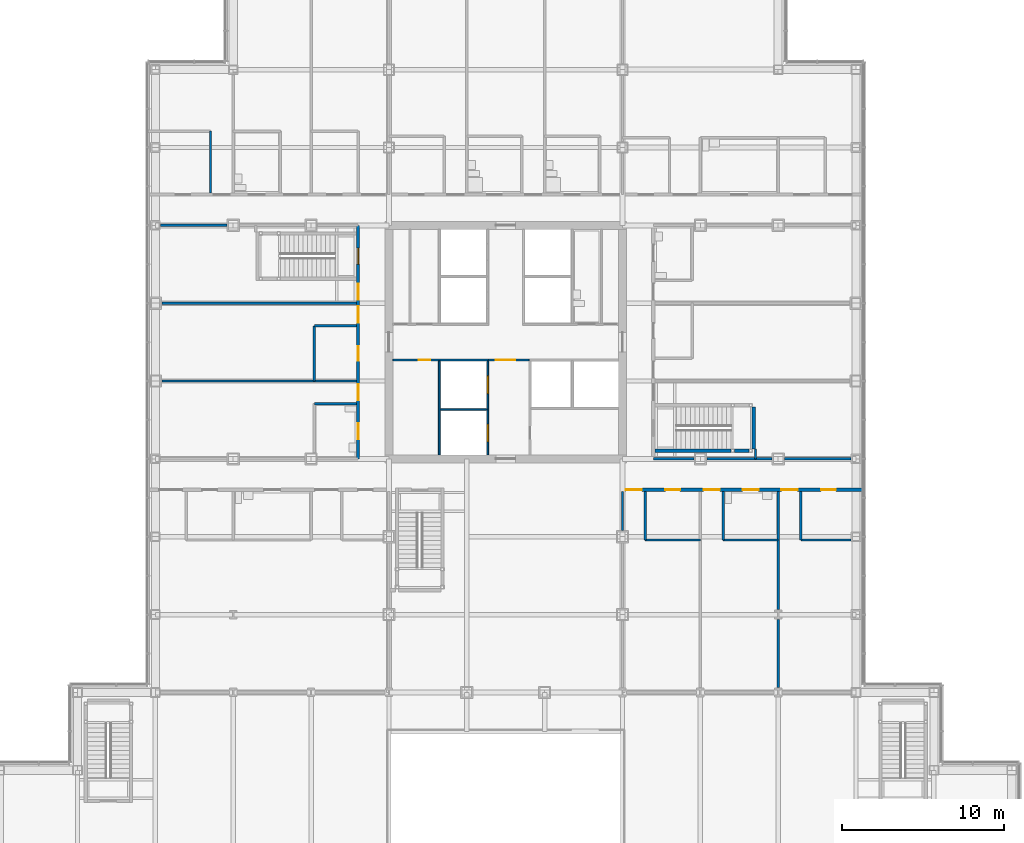
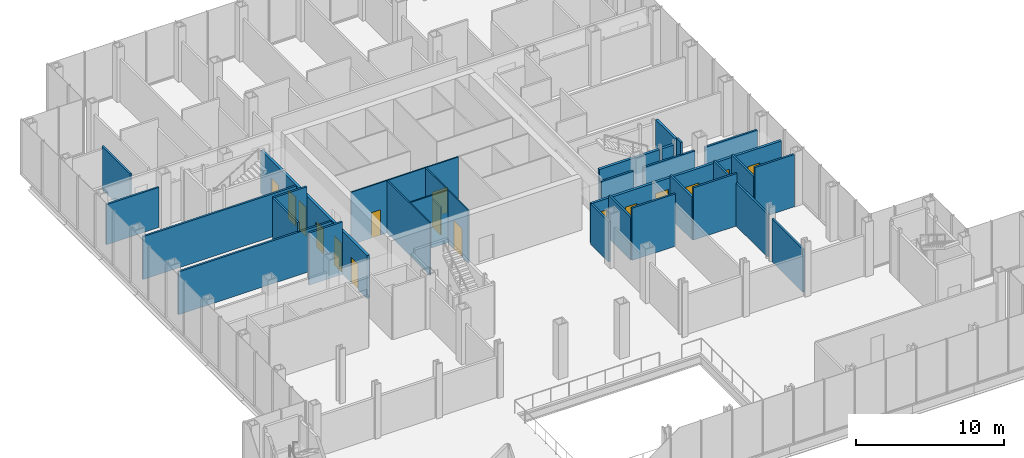
# One storey, part 20 of 25: 30 walls, 16 doors, 16 openings.
"""IFC4 building model written with IfcOpenShell, lengths in metres."""

from ifc_helpers import new_model, si_unit, direction, frame, frame_2d, origin, place, context, subcontext, project, spatial, rectangle, extrude, material, layer, layer_set, type_object, element, fill, save


model = new_model("IFC4")

# Units and contexts
model_context = context("Model", 3, precision=1e-05, world=origin(), true_north=direction((0.0, 1.0)))
body_context = subcontext(model_context, "Body", "Model", "MODEL_VIEW")
ifc_project = project(units=[si_unit("LENGTHUNIT", "METRE"), si_unit("AREAUNIT", "SQUARE_METRE"), si_unit("VOLUMEUNIT", "CUBIC_METRE"), si_unit("PLANEANGLEUNIT", "RADIAN"), si_unit("MASSUNIT", "GRAM", prefix="KILO")], contexts=[model_context])

# Site, building, storey
site_placement = place(None, origin())
site = spatial("IfcSite", under=ifc_project, at=site_placement, CompositionType="ELEMENT")
building_placement = place(site_placement, origin())
building = spatial("IfcBuilding", under=site, at=building_placement, Name="Kvirike Care Tower", CompositionType="ELEMENT")
storey_placement = place(building_placement, frame((0.0, 0.0, 9.0)))
storey = spatial("IfcBuildingStorey", under=building, at=storey_placement, Name="L02", CompositionType="ELEMENT", Elevation=9.0)

# Walls
ifc_material_1 = material(Name="Plasterboard partition", Category="gypsum")
ifc_layer_1 = layer(ifc_material_1, 0.14990234375)
ifc_layer_set_1 = layer_set([ifc_layer_1], Name="CLINIC PARTITION 150")
wall_type_1 = type_object("IfcWallType", Name="CLINIC PARTITION 150", PredefinedType="PARTITIONING", material=ifc_layer_set_1)
wall_1_placement = place(storey_placement, frame((9.800048828125, 37.0, 0.0), z_axis=(0.0, 0.0, 1.0), x_axis=(1.0, 0.0, 0.0)))
element("IfcWall", 1, at=wall_1_placement, inside=storey, type_object=wall_type_1, Name="Clinic Partition 150 L02", PredefinedType="PARTITIONING", context=body_context, shape_type="SweptSolid", body=[
    extrude(rectangle(XDim=2.599853515625, YDim=0.14990234375, at=frame_2d((1.2998046875, 0.0))), origin(), (0.0, 0.0, 1.0), 4.330078125),
])
wall_2_placement = place(storey_placement, frame((9.800048828125, 37.0, 0.0), z_axis=(0.0, 0.0, 1.0), x_axis=(0.0, -1.0, 0.0)))
element("IfcWall", 2, at=wall_2_placement, inside=storey, type_object=wall_type_1, Name="Clinic Partition 150 L02", PredefinedType="PARTITIONING", context=body_context, shape_type="SweptSolid", body=[
    extrude(rectangle(XDim=3.39990234375, YDim=0.14990234375, at=frame_2d((1.699951171875, 0.0))), origin(), (0.0, 0.0, 1.0), 4.330078125),
])
wall_3_placement = place(storey_placement, frame((9.800048828125, 32.199951171875, 0.0), z_axis=(0.0, 0.0, 1.0), x_axis=(1.0, 0.0, 0.0)))
element("IfcWall", 3, at=wall_3_placement, inside=storey, type_object=wall_type_1, Name="Clinic Partition 150 L02", PredefinedType="PARTITIONING", context=body_context, shape_type="SweptSolid", body=[
    extrude(rectangle(XDim=2.599853515625, YDim=0.14990234375, at=frame_2d((1.2998046875, 0.0))), origin(), (0.0, 0.0, 1.0), 4.330078125),
])
for number, where, z_axis, x_axis, name in (
    (4, (0.39501953125, 38.39990234375, 0.0), (0.0, 0.0, 1.0), (1.0, 0.0, 0.0), "Clinic Partition 150 L02"),
    (5, (0.39501953125, 33.60009765625, 0.0), (0.0, 0.0, 1.0), (1.0, 0.0, 0.0), "Clinic Partition 150 L02"),
):
    element("IfcWall", number, at=place(storey_placement, frame(where, z_axis=z_axis, x_axis=x_axis)), inside=storey, type_object=wall_type_1, Name=name, PredefinedType="PARTITIONING", context=body_context, shape_type="SweptSolid", body=[
        extrude(rectangle(XDim=12.0048828125, YDim=0.14990234375, at=frame_2d((6.00244140625, 0.0))), origin(), (0.0, 0.0, 1.0), 3.550048828125),
    ])
wall_4_placement = place(storey_placement, frame((3.39990234375, 49.0, 0.0), z_axis=(0.0, 0.0, 1.0), x_axis=(0.0, -1.0, 0.0)))
element("IfcWall", 6, at=wall_4_placement, inside=storey, type_object=wall_type_1, Name="Clinic Partition 150 L02", PredefinedType="PARTITIONING", context=body_context, shape_type="SweptSolid", body=[
    extrude(rectangle(XDim=3.800048828125, YDim=0.14990234375, at=frame_2d((1.89990234375, 0.0))), origin(), (0.0, 0.0, 1.0), 3.550048828125),
])
wall_5_placement = place(storey_placement, frame((30.199951171875, 23.800048828125, 0.0), z_axis=(0.0, 0.0, 1.0), x_axis=(0.0, 1.0, 0.0)))
element("IfcWall", 7, at=wall_5_placement, inside=storey, type_object=wall_type_1, Name="Clinic Partition 150 L02", PredefinedType="PARTITIONING", context=body_context, shape_type="SweptSolid", body=[
    extrude(rectangle(XDim=3.0, YDim=0.14990234375, at=frame_2d((1.5, 0.0))), origin(), (0.0, 0.0, 1.0), 3.550048828125),
])
wall_6_placement = place(storey_placement, frame((30.199951171875, 23.800048828125, 0.0), z_axis=(0.0, 0.0, 1.0), x_axis=(1.0, 0.0, 0.0)))
element("IfcWall", 8, at=wall_6_placement, inside=storey, type_object=wall_type_1, Name="Clinic Partition 150 L02", PredefinedType="PARTITIONING", context=body_context, shape_type="SweptSolid", body=[
    extrude(rectangle(XDim=3.400146484375, YDim=0.14990234375, at=frame_2d((1.7001953125, 0.0))), origin(), (0.0, 0.0, 1.0), 4.330078125),
])
wall_7_placement = place(storey_placement, frame((35.0, 23.800048828125, 0.0), z_axis=(0.0, 0.0, 1.0), x_axis=(0.0, 1.0, 0.0)))
element("IfcWall", 9, at=wall_7_placement, inside=storey, type_object=wall_type_1, Name="Clinic Partition 150 L02", PredefinedType="PARTITIONING", context=body_context, shape_type="SweptSolid", body=[
    extrude(rectangle(XDim=3.0, YDim=0.14990234375, at=frame_2d((1.5, 0.0))), origin(), (0.0, 0.0, 1.0), 3.550048828125),
])
wall_8_placement = place(storey_placement, frame((35.0, 23.800048828125, 0.0), z_axis=(0.0, 0.0, 1.0), x_axis=(1.0, 0.0, 0.0)))
element("IfcWall", 10, at=wall_8_placement, inside=storey, type_object=wall_type_1, Name="Clinic Partition 150 L02", PredefinedType="PARTITIONING", context=body_context, shape_type="SweptSolid", body=[
    extrude(rectangle(XDim=3.39990234375, YDim=0.14990234375, at=frame_2d((1.699951171875, 0.0))), origin(), (0.0, 0.0, 1.0), 4.330078125),
])
wall_9_placement = place(storey_placement, frame((39.800048828125, 23.800048828125, 0.0), z_axis=(0.0, 0.0, 1.0), x_axis=(0.0, 1.0, 0.0)))
element("IfcWall", 11, at=wall_9_placement, inside=storey, type_object=wall_type_1, Name="Clinic Partition 150 L02", PredefinedType="PARTITIONING", context=body_context, shape_type="SweptSolid", body=[
    extrude(rectangle(XDim=3.0, YDim=0.14990234375, at=frame_2d((1.5, 0.0))), origin(), (0.0, 0.0, 1.0), 3.550048828125),
])
wall_10_placement = place(storey_placement, frame((39.800048828125, 23.800048828125, 0.0), z_axis=(0.0, 0.0, 1.0), x_axis=(1.0, 0.0, 0.0)))
element("IfcWall", 12, at=wall_10_placement, inside=storey, type_object=wall_type_1, Name="Clinic Partition 150 L02", PredefinedType="PARTITIONING", context=body_context, shape_type="SweptSolid", body=[
    extrude(rectangle(XDim=3.079833984375, YDim=0.14990234375, at=frame_2d((1.5400390625, 0.0))), origin(), (0.0, 0.0, 1.0), 4.330078125),
])
wall_11_placement = place(storey_placement, frame((38.39990234375, 14.70458984375, 0.0), z_axis=(0.0, 0.0, 1.0), x_axis=(0.0, 1.0, 0.0)))
element("IfcWall", 13, at=wall_11_placement, inside=storey, type_object=wall_type_1, Name="Clinic Partition 150 L02", PredefinedType="PARTITIONING", context=body_context, shape_type="SweptSolid", body=[
    extrude(rectangle(XDim=4.19091796875, YDim=0.14990234375, at=frame_2d((2.095458984375, 0.0))), origin(), (0.0, 0.0, 1.0), 3.550048828125),
])
wall_12_placement = place(storey_placement, frame((38.39990234375, 19.50439453125, 0.0), z_axis=(0.0, 0.0, 1.0), x_axis=(0.0, 1.0, 0.0)))
element("IfcWall", 14, at=wall_12_placement, inside=storey, type_object=wall_type_1, Name="Clinic Partition 150 L02", PredefinedType="PARTITIONING", context=body_context, shape_type="SweptSolid", body=[
    extrude(rectangle(XDim=7.295654296875, YDim=0.14990234375, at=frame_2d((3.64794921875, 0.0))), origin(), (0.0, 0.0, 1.0), 3.550048828125),
])
wall_13_placement = place(storey_placement, frame((37.0, 28.800048828125, 0.0), z_axis=(0.0, 0.0, 1.0), x_axis=(0.0, 1.0, 0.0)))
element("IfcWall", 15, at=wall_13_placement, inside=storey, type_object=wall_type_1, Name="Clinic Partition 150 L02", PredefinedType="PARTITIONING", context=body_context, shape_type="SweptSolid", body=[
    extrude(rectangle(XDim=0.599853515625, YDim=0.14990234375, at=frame_2d((0.2998046875, 0.0))), origin(), (0.0, 0.0, 1.0), 4.330078125),
])
wall_14_placement = place(storey_placement, frame((4.405029296875, 43.199951171875, 0.0), z_axis=(0.0, 0.0, 1.0), x_axis=(-1.0, 0.0, 0.0)))
element("IfcWall", 16, at=wall_14_placement, inside=storey, type_object=wall_type_1, Name="Clinic Partition 150 L02", PredefinedType="PARTITIONING", context=body_context, shape_type="SweptSolid", body=[
    extrude(rectangle(XDim=4.0849609375, YDim=0.14990234375, at=frame_2d((2.04248046875, 0.0))), origin(), (0.0, 0.0, 1.0), 3.320068359375),
])
wall_15_placement = place(storey_placement, frame((28.800048828125, 24.39501953125, 0.0), z_axis=(0.0, 0.0, 1.0), x_axis=(0.0, 1.0, 0.0)))
element("IfcWall", 17, at=wall_15_placement, inside=storey, type_object=wall_type_1, Name="Clinic Partition 150 L02", PredefinedType="PARTITIONING", context=body_context, shape_type="SweptSolid", body=[
    extrude(rectangle(XDim=2.405029296875, YDim=0.14990234375, at=frame_2d((1.20263671875, 0.0))), origin(), (0.0, 0.0, 1.0), 3.320068359375),
])
wall_16_placement = place(storey_placement, frame((42.8798828125, 28.800048828125, 0.0), z_axis=(0.0, 0.0, 1.0), x_axis=(-1.0, 0.0, 0.0)))
element("IfcWall", 18, at=wall_16_placement, inside=storey, type_object=wall_type_1, Name="Clinic Partition 150 L02", PredefinedType="PARTITIONING", context=body_context, shape_type="SweptSolid", body=[
    extrude(rectangle(XDim=4.0849609375, YDim=0.14990234375, at=frame_2d((2.04248046875, 0.0))), origin(), (0.0, 0.0, 1.0), 3.320068359375),
])
wall_17_placement = place(storey_placement, frame((38.0048828125, 28.800048828125, 0.0), z_axis=(0.0, 0.0, 1.0), x_axis=(-1.0, 0.0, 0.0)))
element("IfcWall", 19, at=wall_17_placement, inside=storey, type_object=wall_type_1, Name="Clinic Partition 150 L02", PredefinedType="PARTITIONING", context=body_context, shape_type="SweptSolid", body=[
    extrude(rectangle(XDim=4.009765625, YDim=0.14990234375, at=frame_2d((2.0048828125, 0.0))), origin(), (0.0, 0.0, 1.0), 3.320068359375),
])
wall_18_placement = place(storey_placement, frame((33.205078125, 28.800048828125, 0.0), z_axis=(0.0, 0.0, 1.0), x_axis=(-1.0, 0.0, 0.0)))
element("IfcWall", 20, at=wall_18_placement, inside=storey, type_object=wall_type_1, Name="Clinic Partition 150 L02", PredefinedType="PARTITIONING", context=body_context, shape_type="SweptSolid", body=[
    extrude(rectangle(XDim=2.505126953125, YDim=0.14990234375, at=frame_2d((1.25244140625, 0.0))), origin(), (0.0, 0.0, 1.0), 3.320068359375),
])

# Wall, openings, doors
ifc_material_2 = material(Name="Plasterboard corridor wall", Category="gypsum")
ifc_layer_2 = layer(ifc_material_2, 0.199951171875)
ifc_layer_set_2 = layer_set([ifc_layer_2], Name="CORRIDOR WALL 200")
wall_type_2 = type_object("IfcWallType", Name="CORRIDOR WALL 200", PredefinedType="PARTITIONING", material=ifc_layer_set_2)
wall_19_placement = place(storey_placement, frame((12.5, 43.199951171875, 0.0), z_axis=(0.0, 0.0, 1.0), x_axis=(0.0, -1.0, 0.0)))
wall_19 = element("IfcWall", 21, at=wall_19_placement, inside=storey, type_object=wall_type_2, Name="Corridor Wall 200 L02", PredefinedType="PARTITIONING", context=body_context, shape_type="SweptSolid", body=[
    extrude(rectangle(XDim=14.39990234375, YDim=0.199951171875, at=frame_2d((7.199951171875, 0.0))), origin(), (0.0, 0.0, 1.0), 3.550048828125),
])
opening_1_placement = place(wall_19_placement, frame((1.39990234375, 0.0, 0.0)))
opening_1 = element("IfcOpeningElement", 22, at=opening_1_placement, cuts=wall_19, Name="Opening 02-006", PredefinedType="OPENING", context=body_context, shape_type="SweptSolid", body=[
    extrude(rectangle(XDim=1.0, YDim=2.10009765625, at=frame_2d((0.5, 1.050048828125))), frame((0.0, 0.110595703125, 0.0), z_axis=(0.0, -1.0, 0.0), x_axis=(1.0, 0.0, 0.0)), (0.0, 0.0, 1.0), 0.220947265625),
])
opening_2_placement = place(wall_19_placement, frame((3.60009765625, 0.0, 0.0)))
opening_2 = element("IfcOpeningElement", 23, at=opening_2_placement, cuts=wall_19, Name="Opening 02-007", PredefinedType="OPENING", context=body_context, shape_type="SweptSolid", body=[
    extrude(rectangle(XDim=1.0, YDim=2.39990234375, at=frame_2d((0.5, 1.199951171875))), frame((0.0, 0.110595703125, 0.0), z_axis=(0.0, -1.0, 0.0), x_axis=(1.0, 0.0, 0.0)), (0.0, 0.0, 1.0), 0.220947265625),
])
opening_3_placement = place(wall_19_placement, frame((5.0, 0.0, 0.0)))
opening_3 = element("IfcOpeningElement", 24, at=opening_3_placement, cuts=wall_19, Name="Opening 02-008", PredefinedType="OPENING", context=body_context, shape_type="SweptSolid", body=[
    extrude(rectangle(XDim=1.0, YDim=2.39990234375, at=frame_2d((0.5, 1.199951171875))), frame((0.0, 0.110595703125, 0.0), z_axis=(0.0, -1.0, 0.0), x_axis=(1.0, 0.0, 0.0)), (0.0, 0.0, 1.0), 0.220947265625),
])
opening_4_placement = place(wall_19_placement, frame((9.800048828125, 0.0, 0.0)))
opening_4 = element("IfcOpeningElement", 25, at=opening_4_placement, cuts=wall_19, Name="Opening 02-009", PredefinedType="OPENING", context=body_context, shape_type="SweptSolid", body=[
    extrude(rectangle(XDim=1.0, YDim=2.39990234375, at=frame_2d((0.5, 1.199951171875))), frame((0.0, 0.110595703125, 0.0), z_axis=(0.0, -1.0, 0.0), x_axis=(1.0, 0.0, 0.0)), (0.0, 0.0, 1.0), 0.220947265625),
])
opening_5_placement = place(wall_19_placement, frame((7.449951171875, 0.0, 0.0)))
opening_5 = element("IfcOpeningElement", 26, at=opening_5_placement, cuts=wall_19, Name="Opening 02-010", PredefinedType="OPENING", context=body_context, shape_type="SweptSolid", body=[
    extrude(rectangle(XDim=0.89990234375, YDim=2.10009765625, at=frame_2d((0.449951171875, 1.050048828125))), frame((0.0, 0.110595703125, 0.0), z_axis=(0.0, -1.0, 0.0), x_axis=(1.0, 0.0, 0.0)), (0.0, 0.0, 1.0), 0.220947265625),
])
opening_6_placement = place(wall_19_placement, frame((12.199951171875, 0.0, 0.0)))
opening_6 = element("IfcOpeningElement", 27, at=opening_6_placement, cuts=wall_19, Name="Opening 02-011", PredefinedType="OPENING", context=body_context, shape_type="SweptSolid", body=[
    extrude(rectangle(XDim=1.0, YDim=2.10009765625, at=frame_2d((0.5, 1.050048828125))), frame((0.0, 0.110595703125, 0.0), z_axis=(0.0, -1.0, 0.0), x_axis=(1.0, 0.0, 0.0)), (0.0, 0.0, 1.0), 0.220947265625),
])
ifc_material_3 = material(Name="Timber door set", Category="wood")
door_type_1 = type_object("IfcDoorType", Name="CONSULTING ROOM DOOR 1000", OperationType="SINGLE_SWING_LEFT", PredefinedType="DOOR", material=ifc_material_3)
door_1_placement = place(opening_2_placement, frame((1.0, 0.0, 0.0), z_axis=(0.0, 0.0, 1.0), x_axis=(-1.0, 0.0, 0.0)))
door_1 = element("IfcDoor", 28, at=door_1_placement, inside=storey, type_object=door_type_1, Name="Hydrotherapy waiting room door", OperationType="SINGLE_SWING_LEFT", OverallHeight=2.39990234375, OverallWidth=1.0, PredefinedType="DOOR", context=body_context, shape_type="SweptSolid", body=[
    extrude(rectangle(XDim=1.0, YDim=2.39990234375, at=frame_2d((0.5, 1.199951171875))), frame((0.0, 0.02685546875, 0.0), z_axis=(0.0, -1.0, 0.0), x_axis=(1.0, 0.0, 0.0)), (0.0, 0.0, 1.0), 0.053955078125),
])
fill(opening_2, door_1)
door_2_placement = place(opening_3_placement, frame((1.0, 0.0, 0.0), z_axis=(0.0, 0.0, 1.0), x_axis=(-1.0, 0.0, 0.0)))
door_2 = element("IfcDoor", 29, at=door_2_placement, inside=storey, type_object=door_type_1, Name="Therapy office door", OperationType="SINGLE_SWING_RIGHT", OverallHeight=2.39990234375, OverallWidth=1.0, PredefinedType="DOOR", context=body_context, shape_type="SweptSolid", body=[
    extrude(rectangle(XDim=1.0, YDim=2.39990234375, at=frame_2d((0.5, 1.199951171875))), frame((0.0, 0.02685546875, 0.0), z_axis=(0.0, -1.0, 0.0), x_axis=(1.0, 0.0, 0.0)), (0.0, 0.0, 1.0), 0.053955078125),
])
fill(opening_3, door_2)
door_3_placement = place(opening_4_placement, frame((1.0, 0.0, 0.0), z_axis=(0.0, 0.0, 1.0), x_axis=(-1.0, 0.0, 0.0)))
door_3 = element("IfcDoor", 30, at=door_3_placement, inside=storey, type_object=door_type_1, Name="Therapy office door", OperationType="SINGLE_SWING_RIGHT", OverallHeight=2.39990234375, OverallWidth=1.0, PredefinedType="DOOR", context=body_context, shape_type="SweptSolid", body=[
    extrude(rectangle(XDim=1.0, YDim=2.39990234375, at=frame_2d((0.5, 1.199951171875))), frame((0.0, 0.02685546875, 0.0), z_axis=(0.0, -1.0, 0.0), x_axis=(1.0, 0.0, 0.0)), (0.0, 0.0, 1.0), 0.053955078125),
])
fill(opening_4, door_3)
ifc_material_4 = material(Name="Timber door set", Category="wood")
door_type_2 = type_object("IfcDoorType", Name="STAIR DOOR 1000", OperationType="SINGLE_SWING_LEFT", PredefinedType="DOOR", material=ifc_material_4)
door_4_placement = place(opening_1_placement, frame((1.0, 0.0, 0.0), z_axis=(0.0, 0.0, 1.0), x_axis=(-1.0, 0.0, 0.0)))
door_4 = element("IfcDoor", 31, at=door_4_placement, inside=storey, type_object=door_type_2, Name="Stair 1 door", OperationType="SINGLE_SWING_RIGHT", OverallHeight=2.10009765625, OverallWidth=1.0, PredefinedType="DOOR", context=body_context, shape_type="SweptSolid", body=[
    extrude(rectangle(XDim=1.0, YDim=2.10009765625, at=frame_2d((0.5, 1.050048828125))), frame((0.0, 0.031982421875, 0.0), z_axis=(0.0, -1.0, 0.0), x_axis=(1.0, 0.0, 0.0)), (0.0, 0.0, 1.0), 0.06396484375),
])
fill(opening_1, door_4)
ifc_material_5 = material(Name="Timber door set", Category="wood")
door_type_3 = type_object("IfcDoorType", Name="STORE DOOR 900", OperationType="SINGLE_SWING_LEFT", PredefinedType="DOOR", material=ifc_material_5)
door_5_placement = place(opening_5_placement, frame((0.89990234375, 0.0, 0.0), z_axis=(0.0, 0.0, 1.0), x_axis=(-1.0, 0.0, 0.0)))
door_5 = element("IfcDoor", 32, at=door_5_placement, inside=storey, type_object=door_type_3, Name="Store door", OperationType="SINGLE_SWING_LEFT", OverallHeight=2.10009765625, OverallWidth=0.89990234375, PredefinedType="DOOR", context=body_context, shape_type="SweptSolid", body=[
    extrude(rectangle(XDim=0.89990234375, YDim=2.10009765625, at=frame_2d((0.449951171875, 1.050048828125))), frame((0.0, 0.02685546875, 0.0), z_axis=(0.0, -1.0, 0.0), x_axis=(1.0, 0.0, 0.0)), (0.0, 0.0, 1.0), 0.053955078125),
])
fill(opening_5, door_5)
ifc_material_6 = material(Name="Timber door set", Category="wood")
door_type_4 = type_object("IfcDoorType", Name="WC DOOR 1000", OperationType="SINGLE_SWING_LEFT", PredefinedType="DOOR", material=ifc_material_6)
door_6_placement = place(opening_6_placement, frame((1.0, 0.0, 0.0), z_axis=(0.0, 0.0, 1.0), x_axis=(-1.0, 0.0, 0.0)))
door_6 = element("IfcDoor", 33, at=door_6_placement, inside=storey, type_object=door_type_4, Name="Staff WC door", OperationType="SINGLE_SWING_LEFT", OverallHeight=2.10009765625, OverallWidth=1.0, PredefinedType="DOOR", context=body_context, shape_type="SweptSolid", body=[
    extrude(rectangle(XDim=1.0, YDim=2.10009765625, at=frame_2d((0.5, 1.050048828125))), frame((0.0, 0.02685546875, 0.0), z_axis=(0.0, -1.0, 0.0), x_axis=(1.0, 0.0, 0.0)), (0.0, 0.0, 1.0), 0.053955078125),
])
fill(opening_6, door_6)

wall_20_placement = place(storey_placement, frame((28.800048828125, 26.89990234375, 0.0), z_axis=(0.0, 0.0, 1.0), x_axis=(1.0, 0.0, 0.0)))
wall_20 = element("IfcWall", 34, at=wall_20_placement, inside=storey, type_object=wall_type_2, Name="Corridor Wall 200 L02", PredefinedType="PARTITIONING", context=body_context, shape_type="SweptSolid", body=[
    extrude(rectangle(XDim=14.85498046875, YDim=0.199951171875, at=frame_2d((7.427490234375, 0.0))), origin(), (0.0, 0.0, 1.0), 3.320068359375),
])
opening_7_placement = place(wall_20_placement, frame((0.199951171875, 0.0, 0.0)))
opening_7 = element("IfcOpeningElement", 35, at=opening_7_placement, cuts=wall_20, Name="Opening 02-025", PredefinedType="OPENING", context=body_context, shape_type="SweptSolid", body=[
    extrude(rectangle(XDim=1.0, YDim=2.39990234375, at=frame_2d((0.5, 1.199951171875))), frame((0.0, 0.110595703125, 0.0), z_axis=(0.0, -1.0, 0.0), x_axis=(1.0, 0.0, 0.0)), (0.0, 0.0, 1.0), 0.220947265625),
])
opening_8_placement = place(wall_20_placement, frame((5.0, 0.0, 0.0)))
opening_8 = element("IfcOpeningElement", 36, at=opening_8_placement, cuts=wall_20, Name="Opening 02-026", PredefinedType="OPENING", context=body_context, shape_type="SweptSolid", body=[
    extrude(rectangle(XDim=1.0, YDim=2.39990234375, at=frame_2d((0.5, 1.199951171875))), frame((0.0, 0.110595703125, 0.0), z_axis=(0.0, -1.0, 0.0), x_axis=(1.0, 0.0, 0.0)), (0.0, 0.0, 1.0), 0.220947265625),
])
opening_9_placement = place(wall_20_placement, frame((9.800048828125, 0.0, 0.0)))
opening_9 = element("IfcOpeningElement", 37, at=opening_9_placement, cuts=wall_20, Name="Opening 02-027", PredefinedType="OPENING", context=body_context, shape_type="SweptSolid", body=[
    extrude(rectangle(XDim=1.0, YDim=2.39990234375, at=frame_2d((0.5, 1.199951171875))), frame((0.0, 0.110595703125, 0.0), z_axis=(0.0, -1.0, 0.0), x_axis=(1.0, 0.0, 0.0)), (0.0, 0.0, 1.0), 0.220947265625),
])
opening_10_placement = place(wall_20_placement, frame((2.64990234375, 0.0, 0.0)))
opening_10 = element("IfcOpeningElement", 38, at=opening_10_placement, cuts=wall_20, Name="Opening 02-028", PredefinedType="OPENING", context=body_context, shape_type="SweptSolid", body=[
    extrude(rectangle(XDim=0.89990234375, YDim=2.10009765625, at=frame_2d((0.449951171875, 1.050048828125))), frame((0.0, 0.110595703125, 0.0), z_axis=(0.0, -1.0, 0.0), x_axis=(1.0, 0.0, 0.0)), (0.0, 0.0, 1.0), 0.220947265625),
])
opening_11_placement = place(wall_20_placement, frame((7.39990234375, 0.0, 0.0)))
opening_11 = element("IfcOpeningElement", 39, at=opening_11_placement, cuts=wall_20, Name="Opening 02-029", PredefinedType="OPENING", context=body_context, shape_type="SweptSolid", body=[
    extrude(rectangle(XDim=1.0, YDim=2.10009765625, at=frame_2d((0.5, 1.050048828125))), frame((0.0, 0.110595703125, 0.0), z_axis=(0.0, -1.0, 0.0), x_axis=(1.0, 0.0, 0.0)), (0.0, 0.0, 1.0), 0.220947265625),
])
opening_12_placement = place(wall_20_placement, frame((12.25, 0.0, 0.0)))
opening_12 = element("IfcOpeningElement", 40, at=opening_12_placement, cuts=wall_20, Name="Opening 02-030", PredefinedType="OPENING", context=body_context, shape_type="SweptSolid", body=[
    extrude(rectangle(XDim=0.89990234375, YDim=2.10009765625, at=frame_2d((0.449951171875, 1.050048828125))), frame((0.0, 0.110595703125, 0.0), z_axis=(0.0, -1.0, 0.0), x_axis=(1.0, 0.0, 0.0)), (0.0, 0.0, 1.0), 0.220947265625),
])
door_7_placement = place(opening_7_placement, frame((1.0, 0.0, 0.0), z_axis=(0.0, 0.0, 1.0), x_axis=(-1.0, 0.0, 0.0)))
door_7 = element("IfcDoor", 41, at=door_7_placement, inside=storey, type_object=door_type_1, Name="Occupational therapy kitchen door", OperationType="SINGLE_SWING_RIGHT", OverallHeight=2.39990234375, OverallWidth=1.0, PredefinedType="DOOR", context=body_context, shape_type="SweptSolid", body=[
    extrude(rectangle(XDim=1.0, YDim=2.39990234375, at=frame_2d((0.5, 1.199951171875))), frame((0.0, 0.02685546875, 0.0), z_axis=(0.0, -1.0, 0.0), x_axis=(1.0, 0.0, 0.0)), (0.0, 0.0, 1.0), 0.053955078125),
])
fill(opening_7, door_7)
door_8_placement = place(opening_8_placement, frame((1.0, 0.0, 0.0), z_axis=(0.0, 0.0, 1.0), x_axis=(-1.0, 0.0, 0.0)))
door_8 = element("IfcDoor", 42, at=door_8_placement, inside=storey, type_object=door_type_1, Name="Occupational therapy room door", OperationType="SINGLE_SWING_LEFT", OverallHeight=2.39990234375, OverallWidth=1.0, PredefinedType="DOOR", context=body_context, shape_type="SweptSolid", body=[
    extrude(rectangle(XDim=1.0, YDim=2.39990234375, at=frame_2d((0.5, 1.199951171875))), frame((0.0, 0.02685546875, 0.0), z_axis=(0.0, -1.0, 0.0), x_axis=(1.0, 0.0, 0.0)), (0.0, 0.0, 1.0), 0.053955078125),
])
fill(opening_8, door_8)
door_9_placement = place(opening_9_placement, frame((1.0, 0.0, 0.0), z_axis=(0.0, 0.0, 1.0), x_axis=(-1.0, 0.0, 0.0)))
door_9 = element("IfcDoor", 43, at=door_9_placement, inside=storey, type_object=door_type_1, Name="Speech therapy room door", OperationType="SINGLE_SWING_LEFT", OverallHeight=2.39990234375, OverallWidth=1.0, PredefinedType="DOOR", context=body_context, shape_type="SweptSolid", body=[
    extrude(rectangle(XDim=1.0, YDim=2.39990234375, at=frame_2d((0.5, 1.199951171875))), frame((0.0, 0.02685546875, 0.0), z_axis=(0.0, -1.0, 0.0), x_axis=(1.0, 0.0, 0.0)), (0.0, 0.0, 1.0), 0.053955078125),
])
fill(opening_9, door_9)
door_10_placement = place(opening_10_placement, frame((0.89990234375, 0.0, 0.0), z_axis=(0.0, 0.0, 1.0), x_axis=(-1.0, 0.0, 0.0)))
door_10 = element("IfcDoor", 44, at=door_10_placement, inside=storey, type_object=door_type_3, Name="Store door", OperationType="SINGLE_SWING_LEFT", OverallHeight=2.10009765625, OverallWidth=0.89990234375, PredefinedType="DOOR", context=body_context, shape_type="SweptSolid", body=[
    extrude(rectangle(XDim=0.89990234375, YDim=2.10009765625, at=frame_2d((0.449951171875, 1.050048828125))), frame((0.0, 0.02685546875, 0.0), z_axis=(0.0, -1.0, 0.0), x_axis=(1.0, 0.0, 0.0)), (0.0, 0.0, 1.0), 0.053955078125),
])
fill(opening_10, door_10)
door_11_placement = place(opening_12_placement, frame((0.89990234375, 0.0, 0.0), z_axis=(0.0, 0.0, 1.0), x_axis=(-1.0, 0.0, 0.0)))
door_11 = element("IfcDoor", 45, at=door_11_placement, inside=storey, type_object=door_type_3, Name="Store door", OperationType="SINGLE_SWING_RIGHT", OverallHeight=2.10009765625, OverallWidth=0.89990234375, PredefinedType="DOOR", context=body_context, shape_type="SweptSolid", body=[
    extrude(rectangle(XDim=0.89990234375, YDim=2.10009765625, at=frame_2d((0.449951171875, 1.050048828125))), frame((0.0, 0.02685546875, 0.0), z_axis=(0.0, -1.0, 0.0), x_axis=(1.0, 0.0, 0.0)), (0.0, 0.0, 1.0), 0.053955078125),
])
fill(opening_12, door_11)
door_12_placement = place(opening_11_placement, frame((1.0, 0.0, 0.0), z_axis=(0.0, 0.0, 1.0), x_axis=(-1.0, 0.0, 0.0)))
door_12 = element("IfcDoor", 46, at=door_12_placement, inside=storey, type_object=door_type_4, Name="Accessible WC door", OperationType="SINGLE_SWING_RIGHT", OverallHeight=2.10009765625, OverallWidth=1.0, PredefinedType="DOOR", context=body_context, shape_type="SweptSolid", body=[
    extrude(rectangle(XDim=1.0, YDim=2.10009765625, at=frame_2d((0.5, 1.050048828125))), frame((0.0, 0.02685546875, 0.0), z_axis=(0.0, -1.0, 0.0), x_axis=(1.0, 0.0, 0.0)), (0.0, 0.0, 1.0), 0.053955078125),
])
fill(opening_11, door_12)

ifc_material_7 = material(Name="Gypsum shaft wall system", Category="gypsum")
ifc_layer_3 = layer(ifc_material_7, 0.10009765625)
ifc_layer_set_3 = layer_set([ifc_layer_3], Name="SHAFT WALL 100")
wall_type_3 = type_object("IfcWallType", Name="SHAFT WALL 100", PredefinedType="SOLIDWALL", material=ifc_layer_set_3)
wall_21_placement = place(storey_placement, frame((20.5, 29.050048828125, 0.0), z_axis=(0.0, 0.0, 1.0), x_axis=(0.0, 1.0, 0.0)))
wall_21 = element("IfcWall", 47, at=wall_21_placement, inside=storey, type_object=wall_type_3, Name="Shaft Wall 100 L02", PredefinedType="SOLIDWALL", context=body_context, shape_type="SweptSolid", body=[
    extrude(rectangle(XDim=5.800048828125, YDim=0.10009765625, at=frame_2d((2.89990234375, 0.0))), origin(), (0.0, 0.0, 1.0), 4.330078125),
])
opening_13_placement = place(wall_21_placement, frame((0.800048828125, 0.0, 0.0)))
opening_13 = element("IfcOpeningElement", 48, at=opening_13_placement, cuts=wall_21, Name="Opening 02-046", PredefinedType="OPENING", context=body_context, shape_type="SweptSolid", body=[
    extrude(rectangle(XDim=1.10009765625, YDim=2.300048828125, at=frame_2d((0.550048828125, 1.14990234375))), frame((0.0, 0.060546875, 0.0), z_axis=(0.0, -1.0, 0.0), x_axis=(1.0, 0.0, 0.0)), (0.0, 0.0, 1.0), 0.12109375),
])
opening_14_placement = place(wall_21_placement, frame((3.77490234375, 0.0, 0.0)))
opening_14 = element("IfcOpeningElement", 49, at=opening_14_placement, cuts=wall_21, Name="Opening 02-047", PredefinedType="OPENING", context=body_context, shape_type="SweptSolid", body=[
    extrude(rectangle(XDim=1.10009765625, YDim=2.300048828125, at=frame_2d((0.550048828125, 1.14990234375))), frame((0.0, 0.060546875, 0.0), z_axis=(0.0, -1.0, 0.0), x_axis=(1.0, 0.0, 0.0)), (0.0, 0.0, 1.0), 0.12109375),
])
ifc_material_8 = material(Name="Aluminium door frame", Category="aluminium")
door_type_5 = type_object("IfcDoorType", Name="FIRE-FIGHTING LIFT LANDING DOOR 1100", OperationType="SLIDING_TO_LEFT", PredefinedType="DOOR", material=ifc_material_8)
door_13_placement = place(opening_13_placement, origin())
door_13 = element("IfcDoor", 50, at=door_13_placement, inside=storey, type_object=door_type_5, Name="Lift FF1 landing door", OperationType="SLIDING_TO_LEFT", OverallHeight=2.300048828125, OverallWidth=1.10009765625, PredefinedType="DOOR", context=body_context, shape_type="SweptSolid", body=[
    extrude(rectangle(XDim=1.10009765625, YDim=2.300048828125, at=frame_2d((0.550048828125, 1.14990234375))), frame((0.0, 0.0498046875, 0.0), z_axis=(0.0, -1.0, 0.0), x_axis=(1.0, 0.0, 0.0)), (0.0, 0.0, 1.0), 0.099609375),
])
fill(opening_13, door_13)
door_14_placement = place(opening_14_placement, origin())
door_14 = element("IfcDoor", 51, at=door_14_placement, inside=storey, type_object=door_type_5, Name="Lift FF2 landing door", OperationType="SLIDING_TO_LEFT", OverallHeight=2.300048828125, OverallWidth=1.10009765625, PredefinedType="DOOR", context=body_context, shape_type="SweptSolid", body=[
    extrude(rectangle(XDim=1.10009765625, YDim=2.300048828125, at=frame_2d((0.550048828125, 1.14990234375))), frame((0.0, 0.0498046875, 0.0), z_axis=(0.0, -1.0, 0.0), x_axis=(1.0, 0.0, 0.0)), (0.0, 0.0, 1.0), 0.099609375),
])
fill(opening_14, door_14)

# Wall, opening, door
wall_22_placement = place(storey_placement, frame((14.64990234375, 34.89990234375, 0.0), z_axis=(0.0, 0.0, 1.0), x_axis=(1.0, 0.0, 0.0)))
wall_22 = element("IfcWall", 52, at=wall_22_placement, inside=storey, type_object=wall_type_3, Name="Shaft Wall 100 L02", PredefinedType="SOLIDWALL", context=body_context, shape_type="SweptSolid", body=[
    extrude(rectangle(XDim=5.900146484375, YDim=0.10009765625, at=frame_2d((2.9501953125, 0.0))), origin(), (0.0, 0.0, 1.0), 4.330078125),
])
opening_15_placement = place(wall_22_placement, frame((1.60009765625, 0.0, 0.0)))
opening_15 = element("IfcOpeningElement", 53, at=opening_15_placement, cuts=wall_22, Name="Opening 02-051", PredefinedType="OPENING", context=body_context, shape_type="SweptSolid", body=[
    extrude(rectangle(XDim=0.699951171875, YDim=2.10009765625, at=frame_2d((0.35009765625, 1.050048828125))), frame((0.0, 0.060546875, 0.0), z_axis=(0.0, -1.0, 0.0), x_axis=(1.0, 0.0, 0.0)), (0.0, 0.0, 1.0), 0.12109375),
])
ifc_material_9 = material(Name="Timber door set", Category="wood")
door_type_6 = type_object("IfcDoorType", Name="RISER DOOR 700", OperationType="SINGLE_SWING_LEFT", PredefinedType="DOOR", material=ifc_material_9)
door_15_placement = place(opening_15_placement, frame((0.699951171875, 0.0, 0.0), z_axis=(0.0, 0.0, 1.0), x_axis=(-1.0, 0.0, 0.0)))
door_15 = element("IfcDoor", 54, at=door_15_placement, inside=storey, type_object=door_type_6, Name="Riser door", OperationType="SINGLE_SWING_RIGHT", OverallHeight=2.10009765625, OverallWidth=0.699951171875, PredefinedType="DOOR", context=body_context, shape_type="SweptSolid", body=[
    extrude(rectangle(XDim=0.699951171875, YDim=2.10009765625, at=frame_2d((0.35009765625, 1.050048828125))), frame((0.0, 0.02685546875, 0.0), z_axis=(0.0, -1.0, 0.0), x_axis=(1.0, 0.0, 0.0)), (0.0, 0.0, 1.0), 0.053955078125),
])
fill(opening_15, door_15)

wall_23_placement = place(storey_placement, frame((20.550048828125, 34.89990234375, 0.0), z_axis=(0.0, 0.0, 1.0), x_axis=(1.0, 0.0, 0.0)))
wall_23 = element("IfcWall", 55, at=wall_23_placement, inside=storey, type_object=wall_type_3, Name="Shaft Wall 100 L02", PredefinedType="SOLIDWALL", context=body_context, shape_type="SweptSolid", body=[
    extrude(rectangle(XDim=2.5, YDim=0.10009765625, at=frame_2d((1.25, 0.0))), origin(), (0.0, 0.0, 1.0), 4.330078125),
])
opening_16_placement = place(wall_23_placement, frame((0.449951171875, 0.0, 0.0)))
opening_16 = element("IfcOpeningElement", 56, at=opening_16_placement, cuts=wall_23, Name="Opening 02-056", PredefinedType="OPENING", context=body_context, shape_type="SweptSolid", body=[
    extrude(rectangle(XDim=1.199951171875, YDim=2.10009765625, at=frame_2d((0.60009765625, 1.050048828125))), frame((0.0, 0.060546875, 0.0), z_axis=(0.0, -1.0, 0.0), x_axis=(1.0, 0.0, 0.0)), (0.0, 0.0, 1.0), 0.12109375),
])
ifc_material_10 = material(Name="Timber door set", Category="wood")
door_type_7 = type_object("IfcDoorType", Name="CORE DOOR 1200", OperationType="SINGLE_SWING_LEFT", PredefinedType="DOOR", material=ifc_material_10)
door_16_placement = place(opening_16_placement, frame((1.199951171875, 0.0, 0.0), z_axis=(0.0, 0.0, 1.0), x_axis=(-1.0, 0.0, 0.0)))
door_16 = element("IfcDoor", 57, at=door_16_placement, inside=storey, type_object=door_type_7, Name="Fire-fighting lobby door", OperationType="SINGLE_SWING_LEFT", OverallHeight=2.10009765625, OverallWidth=1.199951171875, PredefinedType="DOOR", context=body_context, shape_type="SweptSolid", body=[
    extrude(rectangle(XDim=1.199951171875, YDim=2.10009765625, at=frame_2d((0.60009765625, 1.050048828125))), frame((0.0, 0.02685546875, 0.0), z_axis=(0.0, -1.0, 0.0), x_axis=(1.0, 0.0, 0.0)), (0.0, 0.0, 1.0), 0.053955078125),
])
fill(opening_16, door_16)

# Walls
wall_24_placement = place(storey_placement, frame((17.5, 29.050048828125, 0.0), z_axis=(0.0, 0.0, 1.0), x_axis=(0.0, 1.0, 0.0)))
element("IfcWall", 58, at=wall_24_placement, inside=storey, type_object=wall_type_3, Name="Shaft Wall 100 L02", PredefinedType="SOLIDWALL", context=body_context, shape_type="SweptSolid", body=[
    extrude(rectangle(XDim=5.800048828125, YDim=0.10009765625, at=frame_2d((2.89990234375, 0.0))), origin(), (0.0, 0.0, 1.0), 4.330078125),
])
wall_25_placement = place(storey_placement, frame((17.550048828125, 31.85009765625, 0.0), z_axis=(0.0, 0.0, 1.0), x_axis=(1.0, 0.0, 0.0)))
element("IfcWall", 59, at=wall_25_placement, inside=storey, type_object=wall_type_3, Name="Shaft Wall 100 L02", PredefinedType="SOLIDWALL", context=body_context, shape_type="SweptSolid", body=[
    extrude(rectangle(XDim=2.89990234375, YDim=0.10009765625, at=frame_2d((1.449951171875, 0.0))), origin(), (0.0, 0.0, 1.0), 4.330078125),
])
ifc_material_11 = material(Name="Concrete C40/50", Category="concrete")
ifc_layer_4 = layer(ifc_material_11, 0.199951171875)
ifc_layer_set_4 = layer_set([ifc_layer_4], Name="STAIR WALL 200")
wall_type_4 = type_object("IfcWallType", Name="STAIR WALL 200", PredefinedType="SOLIDWALL", material=ifc_layer_set_4)
wall_26_placement = place(storey_placement, frame((36.60009765625, 29.300048828125, 0.0), z_axis=(0.0, 0.0, 1.0), x_axis=(-1.0, 0.0, 0.0)))
element("IfcWall", 60, at=wall_26_placement, inside=storey, type_object=wall_type_4, Name="Stair Wall 200 L02", PredefinedType="SOLIDWALL", context=body_context, shape_type="SweptSolid", body=[
    extrude(rectangle(XDim=0.900146484375, YDim=0.199951171875, at=frame_2d((0.4501953125, 0.0))), origin(), (0.0, 0.0, 1.0), 3.989990234375),
])
wall_27_placement = place(storey_placement, frame((35.5, 29.300048828125, 0.0), z_axis=(0.0, 0.0, 1.0), x_axis=(-1.0, 0.0, 0.0)))
element("IfcWall", 61, at=wall_27_placement, inside=storey, type_object=wall_type_4, Name="Stair Wall 200 L02", PredefinedType="SOLIDWALL", context=body_context, shape_type="SweptSolid", body=[
    extrude(rectangle(XDim=4.699951171875, YDim=0.199951171875, at=frame_2d((2.35009765625, 0.0))), origin(), (0.0, 0.0, 1.0), 3.989990234375),
])
wall_28_placement = place(storey_placement, frame((36.89990234375, 29.39990234375, 0.0), z_axis=(0.0, 0.0, 1.0), x_axis=(0.0, 1.0, 0.0)))
element("IfcWall", 62, at=wall_28_placement, inside=storey, type_object=wall_type_4, Name="Stair Wall 200 L02", PredefinedType="SOLIDWALL", context=body_context, shape_type="SweptSolid", body=[
    extrude(rectangle(XDim=2.60009765625, YDim=0.199951171875, at=frame_2d((1.300048828125, 0.0))), origin(), (0.0, 0.0, 1.0), 4.330078125),
])

save(model, "model.ifc")
